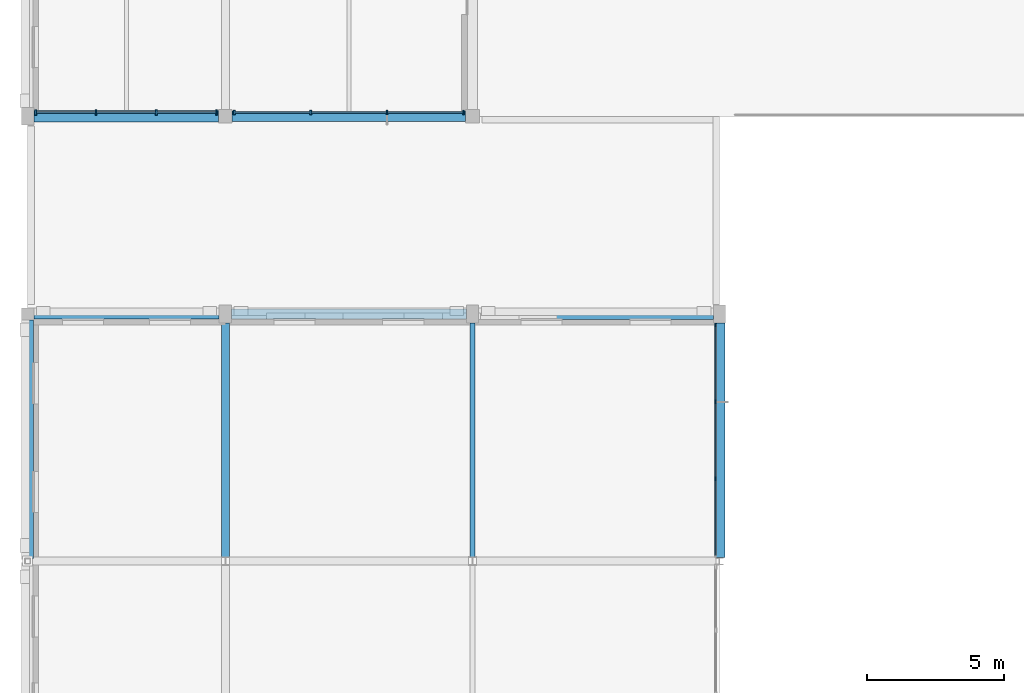
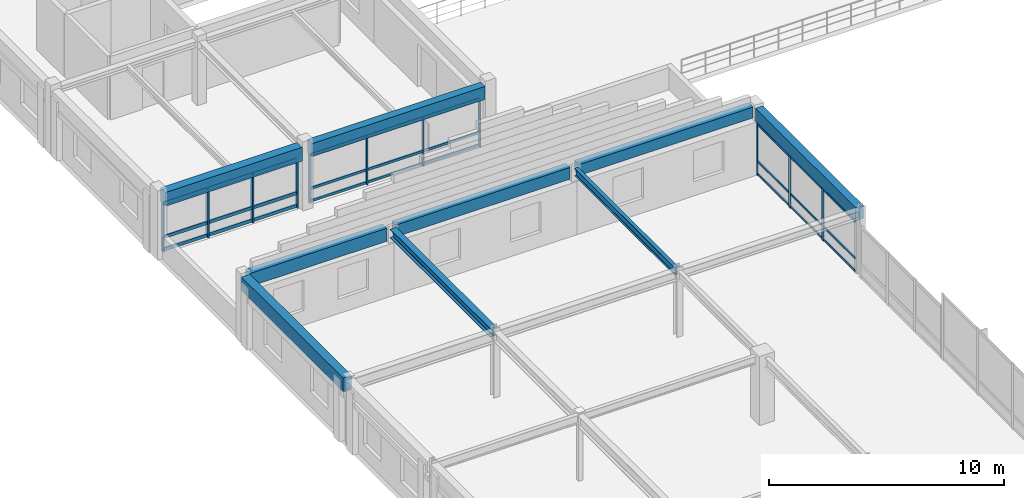
# One storey, part 20 of 74: 38 members, 9 beams, 3 elements without a shape of their own.
"""IFC4 building model written with IfcOpenShell, lengths in metres."""

import ifcopenshell
import ifcopenshell.guid

model = None  # the IFC model being written
_history = None  # IfcOwnerHistory: only IFC2X3 demands one
_inside = {}  # id of a spatial element -> (the spatial element, [elements in it])
_under = {}  # id of a project, library or spatial element -> (it, [spatial elements below it])
_declared = {}  # id of a project -> (the project, [libraries it declares])
_typed = {}  # id of a type object -> (the type object, [elements of that type])
_made_of = {}  # id of a material, layer set ... -> (it, [elements and type objects made of it])


def new_model(schema):
    """Start an empty IFC model of exactly this schema.

    Asked for "IFC4X3", IfcOpenShell would pick the latest addendum, in which some entities
    have other attributes; the version numbers below select the first issue.
    IFC2X3 requires an IfcOwnerHistory on every rooted entity: one is made here for all.
    """
    global model, _history
    if schema == "IFC4X3":
        model = ifcopenshell.file(schema_version=(4, 3, 0, 0))
    else:
        model = ifcopenshell.file(schema=schema)
    _inside.clear()
    _under.clear()
    _declared.clear()
    _typed.clear()
    _made_of.clear()
    _history = None
    if model.schema == "IFC2X3":
        org = make("IfcOrganization", Name="unknown")
        user = make(
            "IfcPersonAndOrganization",
            ThePerson=make("IfcPerson", FamilyName="unknown"),
            TheOrganization=org,
        )
        app = make(
            "IfcApplication",
            ApplicationDeveloper=org,
            Version="unknown",
            ApplicationFullName="unknown",
            ApplicationIdentifier="unknown",
        )
        _history = make(
            "IfcOwnerHistory",
            OwningUser=user,
            OwningApplication=app,
            ChangeAction="ADDED",
            CreationDate=0,
        )
    return model


def make(cls, **values):
    """One entity of the class cls with the attributes given. An attribute that is None is left unset."""
    return model.create_entity(
        cls, **{name: value for name, value in values.items() if value is not None}
    )


def rooted(cls, **values):
    """An entity with a GlobalId (a new one), such as an element, a storey or a relation."""
    return make(cls, GlobalId=ifcopenshell.guid.new(), OwnerHistory=_history, **values)


def si_unit(unit_type, name, prefix=None):
    """IfcSIUnit, for example si_unit("LENGTHUNIT", "METRE", prefix="MILLI")."""
    return make("IfcSIUnit", UnitType=unit_type, Prefix=prefix, Name=name)


def assignment(units):
    """IfcUnitAssignment: the units of a project."""
    return None if units is None else make("IfcUnitAssignment", Units=units)


def point(xyz):
    """IfcCartesianPoint."""
    return None if xyz is None else make("IfcCartesianPoint", Coordinates=xyz)


def direction(xyz):
    """IfcDirection."""
    return None if xyz is None else make("IfcDirection", DirectionRatios=xyz)


def frame(location, z_axis=None, x_axis=None):
    """IfcAxis2Placement3D, a coordinate frame: its origin and axes. An axis left out is left unset."""
    return make(
        "IfcAxis2Placement3D",
        Location=point(location),
        Axis=direction(z_axis),
        RefDirection=direction(x_axis),
    )


def frame_2d(location, x_axis=None):
    """IfcAxis2Placement2D, a coordinate frame in the plane: its origin and x axis."""
    return make(
        "IfcAxis2Placement2D", Location=point(location), RefDirection=direction(x_axis)
    )


def origin():
    """The frame at (0, 0, 0) with its axes left unset."""
    return frame((0.0, 0.0, 0.0))


def origin_2d():
    """The frame at (0, 0) in the plane with its x axis left unset."""
    return frame_2d((0.0, 0.0))


def place(relative_to, where):
    """IfcLocalPlacement: puts the frame where relative to a parent placement (None: the world)."""
    return make(
        "IfcLocalPlacement", PlacementRelTo=relative_to, RelativePlacement=where
    )


def context(
    kind, dimensions, precision=None, world=None, true_north=None, identifier=None
):
    """IfcGeometricRepresentationContext, for example the 3D "Model" context."""
    return make(
        "IfcGeometricRepresentationContext",
        ContextIdentifier=identifier,
        ContextType=kind,
        CoordinateSpaceDimension=dimensions,
        Precision=precision,
        WorldCoordinateSystem=world,
        TrueNorth=true_north,
    )


def subcontext(parent, identifier, kind, view, scale=None):
    """IfcGeometricRepresentationSubContext, for example "Body" below "Model"."""
    return make(
        "IfcGeometricRepresentationSubContext",
        ContextIdentifier=identifier,
        ContextType=kind,
        ParentContext=parent,
        TargetScale=scale,
        TargetView=view,
    )


def project(units=None, contexts=None):
    """IfcProject with its units and contexts."""
    return rooted(
        "IfcProject",
        Name="project",
        RepresentationContexts=contexts,
        UnitsInContext=assignment(units),
    )


def spatial(cls, under=None, at=None, **own):
    """A site, building, storey or space (cls), placed at a placement, below another one or the project."""
    s = rooted(cls, ObjectPlacement=at, **own)
    if under is not None:
        _under.setdefault(under.id(), (under, []))[1].append(s)
    return s


def profile(cls, at=None, kind="AREA", **sizes):
    """A parametric profile (cls). Its sizes go by their IFC names, for example OverallWidth=200.0."""
    return make(cls, ProfileType=kind, Position=at, **sizes)


def rectangle(**sizes):
    """IfcRectangleProfileDef."""
    return profile("IfcRectangleProfileDef", **sizes)


def i_section(**sizes):
    """IfcIShapeProfileDef."""
    return profile("IfcIShapeProfileDef", **sizes)


def extrude(swept, where, along, depth):
    """IfcExtrudedAreaSolid: the profile swept, set in the frame where, extruded along a direction by depth."""
    return make(
        "IfcExtrudedAreaSolid",
        SweptArea=swept,
        Position=where,
        ExtrudedDirection=direction(along),
        Depth=depth,
    )


def shape(context_of_items, identifier, shape_type, items):
    """IfcShapeRepresentation: the items that make up one representation, for example the "Body"."""
    return make(
        "IfcShapeRepresentation",
        ContextOfItems=context_of_items,
        RepresentationIdentifier=identifier,
        RepresentationType=shape_type,
        Items=items,
    )


def material(Name=None, Category=None):
    """IfcMaterial."""
    return make("IfcMaterial", Name=Name, Category=Category)


def material_profile(
    of_material, cross_section, Name=None, Category=None, Priority=None
):
    """IfcMaterialProfile: a cross section and its material."""
    return make(
        "IfcMaterialProfile",
        Name=Name,
        Material=of_material,
        Profile=cross_section,
        Priority=Priority,
        Category=Category,
    )


def profile_set(profiles, Name=None, composite=None):
    """IfcMaterialProfileSet."""
    return make(
        "IfcMaterialProfileSet",
        Name=Name,
        MaterialProfiles=profiles,
        CompositeProfile=composite,
    )


def made_of(thing, what):
    """Note that an element or type object is made of a material, layer set ...; save() writes the relation."""
    if what is not None:
        _made_of.setdefault(what.id(), (what, []))[1].append(thing)
    return thing


def type_object(cls, material=None, **own):
    """A type object (cls), such as IfcWallType, which elements share."""
    return made_of(rooted(cls, **own), material)


def element(
    cls,
    number,
    at=None,
    inside=None,
    cuts=None,
    type_object=None,
    material=None,
    context=None,
    identifier="Body",
    shape_type=None,
    held_by="IfcProductDefinitionShape",
    body=None,
    shapes=None,
    **own,
):
    """One element of the class cls, such as IfcWall. Its Tag is "e" and its number.

    at: its placement. inside: the storey or other place that contains it. cuts: it is an
    opening in that element (IfcRelVoidsElement). A single representation is given by context,
    identifier, shape_type and body (its items); several are given by shapes. held_by: the class
    of the entity that holds the representations. save() writes the other relations.
    """
    e = rooted(cls, Tag="e%d" % number, ObjectPlacement=at, **own)
    if body is not None:
        shapes = [shape(context, identifier, shape_type, body)]
    if shapes is not None:
        e.Representation = make(held_by, Representations=shapes)
    if inside is not None:
        _inside.setdefault(inside.id(), (inside, []))[1].append(e)
    if cuts is not None:
        rooted(
            "IfcRelVoidsElement", RelatingBuildingElement=cuts, RelatedOpeningElement=e
        )
    if type_object is not None:
        _typed.setdefault(type_object.id(), (type_object, []))[1].append(e)
    return made_of(e, material)


def aggregate(whole, parts):
    """IfcRelAggregates: a whole, such as a stair, and the parts it consists of."""
    return rooted("IfcRelAggregates", RelatingObject=whole, RelatedObjects=parts)


def save(model, path):
    """Write the relations noted so far, then the file.

    IfcRelAggregates (storeys below a building ...), IfcRelContainedInSpatialStructure (elements
    in a storey), IfcRelDefinesByType, IfcRelAssociatesMaterial and IfcRelDeclares: one each for
    every whole, place, type object, material and project.
    """
    for whole, parts in _under.values():
        aggregate(whole, parts)
    for where, things in _inside.values():
        rooted(
            "IfcRelContainedInSpatialStructure",
            RelatedElements=things,
            RelatingStructure=where,
        )
    for kind, things in _typed.values():
        rooted("IfcRelDefinesByType", RelatedObjects=things, RelatingType=kind)
    for what, things in _made_of.values():
        rooted("IfcRelAssociatesMaterial", RelatedObjects=things, RelatingMaterial=what)
    for by, libraries in _declared.values():
        rooted("IfcRelDeclares", RelatingContext=by, RelatedDefinitions=libraries)
    model.write(path)


model = new_model("IFC4")

# Units and contexts
model_context = context("Model", 3, precision=1e-05, world=origin(), true_north=direction((0.0, 1.0)))
body_context = subcontext(model_context, "Body", "Model", "MODEL_VIEW")
ifc_project = project(units=[si_unit("LENGTHUNIT", "METRE"), si_unit("AREAUNIT", "SQUARE_METRE"), si_unit("VOLUMEUNIT", "CUBIC_METRE"), si_unit("PLANEANGLEUNIT", "RADIAN"), si_unit("MASSUNIT", "GRAM", prefix="KILO")], contexts=[model_context])

# Site, building, storey
site_placement = place(None, origin())
site = spatial("IfcSite", under=ifc_project, at=site_placement, CompositionType="ELEMENT")
building_placement = place(site_placement, origin())
building = spatial("IfcBuilding", under=site, at=building_placement, Name="Clarverna Civic Hall", CompositionType="ELEMENT")
storey_placement = place(building_placement, frame((0.0, 0.0, 13.199951171875)))
storey = spatial("IfcBuildingStorey", under=building, at=storey_placement, Name="L03", CompositionType="ELEMENT", Elevation=13.199951171875)

# Beams
ifc_material_1 = material(Name="Concrete C35/45", Category="concrete")
ifc_material_profile_1 = material_profile(ifc_material_1, rectangle(XDim=0.419921875, YDim=0.719970703125, at=origin_2d()), Name="RC 420x720")
ifc_profile_set_1 = profile_set([ifc_material_profile_1], Name="Concrete C35/45")
beam_type_1 = type_object("IfcBeamType", Name="B-SP1", PredefinedType="SPANDREL", material=ifc_profile_set_1)
beam_1_placement = place(storey_placement, frame((0.22509765625, 62.60009765625, 2.93994140625), z_axis=(1.0, 0.0, 0.0), x_axis=(0.0, 1.0, 0.0)))
element("IfcBeam", 1, at=beam_1_placement, inside=storey, type_object=beam_type_1, Name="B-SP1-109", PredefinedType="SPANDREL", context=body_context, shape_type="SweptSolid", body=[
    extrude(rectangle(XDim=0.419921875, YDim=0.719970703125, at=origin_2d()), origin(), (0.0, 0.0, 1.0), 6.724853515625),
])
beam_2_placement = place(storey_placement, frame((0.0, 46.5, 3.080078125), z_axis=(0.0, 1.0, 0.0), x_axis=(-1.0, 0.0, 0.0)))
element("IfcBeam", 2, at=beam_2_placement, inside=storey, type_object=beam_type_1, Name="B-SP1-119", PredefinedType="SPANDREL", context=body_context, shape_type="SweptSolid", body=[
    extrude(rectangle(XDim=0.419921875, YDim=0.719970703125, at=origin_2d()), origin(), (0.0, 0.0, 1.0), 8.675048828125),
])
ifc_material_profile_2 = material_profile(ifc_material_1, rectangle(XDim=0.3798828125, YDim=0.679931640625, at=origin_2d()), Name="RC 380x680")
ifc_profile_set_2 = profile_set([ifc_material_profile_2], Name="Concrete C35/45")
beam_type_2 = type_object("IfcBeamType", Name="B-SP2", PredefinedType="SPANDREL", material=ifc_profile_set_2)
beam_3_placement = place(storey_placement, frame((0.22509765625, 55.39990234375, 3.10009765625), z_axis=(1.0, 0.0, 0.0), x_axis=(0.0, 1.0, 0.0)))
element("IfcBeam", 3, at=beam_3_placement, inside=storey, type_object=beam_type_2, Name="B-SP2-112", PredefinedType="SPANDREL", context=body_context, shape_type="SweptSolid", body=[
    extrude(rectangle(XDim=0.3798828125, YDim=0.679931640625, at=origin_2d()), origin(), (0.0, 0.0, 1.0), 6.75),
])
beam_4_placement = place(storey_placement, frame((7.449951171875, 62.60009765625, 2.9599609375), z_axis=(1.0, 0.0, 0.0), x_axis=(0.0, 1.0, 0.0)))
element("IfcBeam", 4, at=beam_4_placement, inside=storey, type_object=beam_type_2, Name="B-SP2-113", PredefinedType="SPANDREL", context=body_context, shape_type="SweptSolid", body=[
    extrude(rectangle(XDim=0.3798828125, YDim=0.679931640625, at=origin_2d()), origin(), (0.0, 0.0, 1.0), 8.5),
])
beam_5_placement = place(storey_placement, frame((25.199951171875, 46.530029296875, 3.10009765625), z_axis=(0.0, 1.0, 0.0), x_axis=(-1.0, 0.0, 0.0)))
element("IfcBeam", 5, at=beam_5_placement, inside=storey, type_object=beam_type_2, Name="B-SP2-127", PredefinedType="SPANDREL", context=body_context, shape_type="SweptSolid", body=[
    extrude(rectangle(XDim=0.3798828125, YDim=0.679931640625, at=origin_2d()), origin(), (0.0, 0.0, 1.0), 8.544921875),
])
ifc_material_profile_3 = material_profile(ifc_material_1, rectangle(XDim=0.360107421875, YDim=0.6201171875, at=origin_2d()), Name="RC 360x620")
ifc_profile_set_3 = profile_set([ifc_material_profile_3], Name="Concrete C35/45")
beam_type_3 = type_object("IfcBeamType", Name="B-SP3", PredefinedType="SPANDREL", material=ifc_profile_set_3)
beam_6_placement = place(storey_placement, frame((7.425048828125, 55.39990234375, 3.130126953125), z_axis=(1.0, 0.0, 0.0), x_axis=(0.0, 1.0, 0.0)))
element("IfcBeam", 6, at=beam_6_placement, inside=storey, type_object=beam_type_3, Name="B-SP3-110", PredefinedType="SPANDREL", context=body_context, shape_type="SweptSolid", body=[
    extrude(rectangle(XDim=0.360107421875, YDim=0.6201171875, at=origin_2d()), origin(), (0.0, 0.0, 1.0), 8.550048828125),
])
ifc_material_profile_4 = material_profile(ifc_material_1, rectangle(XDim=0.39990234375, YDim=0.56005859375, at=origin_2d()), Name="RC 400x560")
ifc_profile_set_4 = profile_set([ifc_material_profile_4], Name="Concrete C35/45")
beam_type_4 = type_object("IfcBeamType", Name="B-SP4", PredefinedType="SPANDREL", material=ifc_profile_set_4)
beam_7_placement = place(storey_placement, frame((16.425048828125, 55.39990234375, 3.16015625), z_axis=(1.0, 0.0, 0.0), x_axis=(0.0, 1.0, 0.0)))
element("IfcBeam", 7, at=beam_7_placement, inside=storey, type_object=beam_type_4, Name="B-SP4-110", PredefinedType="SPANDREL", context=body_context, shape_type="SweptSolid", body=[
    extrude(rectangle(XDim=0.39990234375, YDim=0.56005859375, at=origin_2d()), origin(), (0.0, 0.0, 1.0), 8.550048828125),
])
ifc_material_2 = material(Name="Steel S355", Category="steel")
ifc_material_profile_5 = material_profile(ifc_material_2, i_section(OverallWidth=0.179931640625, OverallDepth=0.39990234375, WebThickness=0.008544921875, FlangeThickness=0.013427734375, FilletRadius=0.02099609375, at=origin_2d()), Name="IPE 400")
ifc_profile_set_5 = profile_set([ifc_material_profile_5], Name="Steel S355")
beam_type_5 = type_object("IfcBeamType", Name="B-ST14", PredefinedType="BEAM", material=ifc_profile_set_5)
beam_8_placement = place(storey_placement, frame((16.199951171875, 46.550048828125, 3.239990234375), z_axis=(0.0, 1.0, 0.0), x_axis=(-1.0, 0.0, 0.0)))
element("IfcBeam", 8, at=beam_8_placement, inside=storey, type_object=beam_type_5, Name="B-ST14-018", PredefinedType="BEAM", context=body_context, shape_type="SweptSolid", body=[
    extrude(i_section(OverallWidth=0.179931640625, OverallDepth=0.39990234375, WebThickness=0.008544921875, FlangeThickness=0.013427734375, FilletRadius=0.02099609375, at=origin_2d()), origin(), (0.0, 0.0, 1.0), 8.52490234375),
])
ifc_material_profile_6 = material_profile(ifc_material_2, i_section(OverallWidth=0.300048828125, OverallDepth=0.449951171875, WebThickness=0.013916015625, FlangeThickness=0.02587890625, FilletRadius=0.027099609375, at=origin_2d()), Name="HEB 450")
ifc_profile_set_6 = profile_set([ifc_material_profile_6], Name="Steel S355")
beam_type_6 = type_object("IfcBeamType", Name="B-ST3", PredefinedType="BEAM", material=ifc_profile_set_6)
beam_9_placement = place(storey_placement, frame((7.199951171875, 46.550048828125, 3.215087890625), z_axis=(0.0, 1.0, 0.0), x_axis=(-1.0, 0.0, 0.0)))
element("IfcBeam", 9, at=beam_9_placement, inside=storey, type_object=beam_type_6, Name="B-ST3-015", PredefinedType="BEAM", context=body_context, shape_type="SweptSolid", body=[
    extrude(i_section(OverallWidth=0.300048828125, OverallDepth=0.449951171875, WebThickness=0.013916015625, FlangeThickness=0.02587890625, FilletRadius=0.027099609375, at=origin_2d()), origin(), (0.0, 0.0, 1.0), 8.52490234375),
])

# Curtain wall, members
ifc_material_3 = material(Name="Anodised Bronze Architectural Aluminium", Category="aluminium")
curtain_wall_type = type_object("IfcCurtainWallType", Name="CW-05", PredefinedType="USERDEFINED", material=ifc_material_3)
curtain_wall_1_placement = place(storey_placement, origin())
curtain_wall_1 = element("IfcCurtainWall", 10, at=curtain_wall_1_placement, inside=storey, type_object=curtain_wall_type, Name="CW-05-014", ObjectType="UNITISED CURTAIN WALL", PredefinedType="USERDEFINED")
ifc_material_profile_7 = material_profile(ifc_material_3, rectangle(XDim=0.06005859375, YDim=0.159912109375, at=origin_2d()), Name="BRONZE 60x160")
ifc_profile_set_7 = profile_set([ifc_material_profile_7], Name="Anodised Bronze Architectural Aluminium")
member_type_1 = type_object("IfcMemberType", Name="CWM-02", PredefinedType="MULLION", material=ifc_profile_set_7)
member_1_placement = place(storey_placement, frame((15.876953125, 62.739990234375, 0.0), z_axis=(0.0, 0.0, 1.0), x_axis=(1.0, 0.0, 0.0)))
member_1 = element("IfcMember", 11, at=member_1_placement, type_object=member_type_1, Name="CWM-02-180", PredefinedType="MULLION", context=body_context, shape_type="SweptSolid", body=[
    extrude(rectangle(XDim=0.06005859375, YDim=0.159912109375, at=origin_2d()), origin(), (0.0, 0.0, 1.0), 2.580078125),
])
member_2_placement = place(storey_placement, frame((13.09228515625, 62.739990234375, 0.0), z_axis=(0.0, 0.0, 1.0), x_axis=(1.0, 0.0, 0.0)))
member_2 = element("IfcMember", 12, at=member_2_placement, type_object=member_type_1, Name="CWM-02-181", PredefinedType="MULLION", context=body_context, shape_type="SweptSolid", body=[
    extrude(rectangle(XDim=0.06005859375, YDim=0.159912109375, at=origin_2d()), origin(), (0.0, 0.0, 1.0), 2.580078125),
])
member_3_placement = place(storey_placement, frame((10.3076171875, 62.739990234375, 0.0), z_axis=(0.0, 0.0, 1.0), x_axis=(1.0, 0.0, 0.0)))
member_3 = element("IfcMember", 13, at=member_3_placement, type_object=member_type_1, Name="CWM-02-182", PredefinedType="MULLION", context=body_context, shape_type="SweptSolid", body=[
    extrude(rectangle(XDim=0.06005859375, YDim=0.159912109375, at=origin_2d()), origin(), (0.0, 0.0, 1.0), 2.580078125),
])
member_4_placement = place(storey_placement, frame((7.52294921875, 62.739990234375, 0.0), z_axis=(0.0, 0.0, 1.0), x_axis=(1.0, 0.0, 0.0)))
member_4 = element("IfcMember", 14, at=member_4_placement, type_object=member_type_1, Name="CWM-02-183", PredefinedType="MULLION", context=body_context, shape_type="SweptSolid", body=[
    extrude(rectangle(XDim=0.06005859375, YDim=0.159912109375, at=origin_2d()), origin(), (0.0, 0.0, 1.0), 2.580078125),
])

curtain_wall_2_placement = place(storey_placement, origin())
curtain_wall_2 = element("IfcCurtainWall", 15, at=curtain_wall_2_placement, inside=storey, type_object=curtain_wall_type, Name="CW-05-015", ObjectType="UNITISED CURTAIN WALL", PredefinedType="USERDEFINED")
ifc_material_profile_8 = material_profile(ifc_material_3, rectangle(XDim=0.06494140625, YDim=0.199951171875, at=origin_2d()), Name="BRONZE 65x200")
ifc_profile_set_8 = profile_set([ifc_material_profile_8], Name="Anodised Bronze Architectural Aluminium")
member_type_2 = type_object("IfcMemberType", Name="CWM-03", PredefinedType="MULLION", material=ifc_profile_set_8)
member_5_placement = place(storey_placement, frame((6.876953125, 62.739990234375, 0.0), z_axis=(0.0, 0.0, 1.0), x_axis=(1.0, 0.0, 0.0)))
member_5 = element("IfcMember", 16, at=member_5_placement, type_object=member_type_2, Name="CWM-03-143", PredefinedType="MULLION", context=body_context, shape_type="SweptSolid", body=[
    extrude(rectangle(XDim=0.06494140625, YDim=0.199951171875, at=origin_2d()), origin(), (0.0, 0.0, 1.0), 2.580078125),
])
member_6_placement = place(storey_placement, frame((4.68408203125, 62.739990234375, 0.0), z_axis=(0.0, 0.0, 1.0), x_axis=(1.0, 0.0, 0.0)))
member_6 = element("IfcMember", 17, at=member_6_placement, type_object=member_type_2, Name="CWM-03-144", PredefinedType="MULLION", context=body_context, shape_type="SweptSolid", body=[
    extrude(rectangle(XDim=0.06494140625, YDim=0.199951171875, at=origin_2d()), origin(), (0.0, 0.0, 1.0), 2.580078125),
])
member_7_placement = place(storey_placement, frame((2.490966796875, 62.739990234375, 0.0), z_axis=(0.0, 0.0, 1.0), x_axis=(1.0, 0.0, 0.0)))
member_7 = element("IfcMember", 18, at=member_7_placement, type_object=member_type_2, Name="CWM-03-145", PredefinedType="MULLION", context=body_context, shape_type="SweptSolid", body=[
    extrude(rectangle(XDim=0.06494140625, YDim=0.199951171875, at=origin_2d()), origin(), (0.0, 0.0, 1.0), 2.580078125),
])
member_8_placement = place(storey_placement, frame((0.298095703125, 62.739990234375, 0.0), z_axis=(0.0, 0.0, 1.0), x_axis=(1.0, 0.0, 0.0)))
member_8 = element("IfcMember", 19, at=member_8_placement, type_object=member_type_2, Name="CWM-03-146", PredefinedType="MULLION", context=body_context, shape_type="SweptSolid", body=[
    extrude(rectangle(XDim=0.06494140625, YDim=0.199951171875, at=origin_2d()), origin(), (0.0, 0.0, 1.0), 2.580078125),
])

curtain_wall_3_placement = place(storey_placement, origin())
curtain_wall_3 = element("IfcCurtainWall", 20, at=curtain_wall_3_placement, inside=storey, type_object=curtain_wall_type, Name="CW-05-016", ObjectType="UNITISED CURTAIN WALL", PredefinedType="USERDEFINED")
ifc_material_profile_9 = material_profile(ifc_material_3, rectangle(XDim=0.054931640625, YDim=0.139892578125, at=origin_2d()), Name="BRONZE 55x140")
ifc_profile_set_9 = profile_set([ifc_material_profile_9], Name="Anodised Bronze Architectural Aluminium")
member_type_3 = type_object("IfcMemberType", Name="CWM-04", PredefinedType="MULLION", material=ifc_profile_set_9)
member_9_placement = place(storey_placement, frame((25.06005859375, 55.001953125, 0.0), z_axis=(0.0, 0.0, 1.0), x_axis=(1.0, 0.0, 0.0)))
member_9 = element("IfcMember", 21, at=member_9_placement, type_object=member_type_3, Name="CWM-04-184", PredefinedType="MULLION", context=body_context, shape_type="SweptSolid", body=[
    extrude(rectangle(XDim=0.054931640625, YDim=0.139892578125, at=origin_2d()), origin(), (0.0, 0.0, 1.0), 2.760009765625),
])
member_10_placement = place(storey_placement, frame((25.06005859375, 52.202392578125, 0.0), z_axis=(0.0, 0.0, 1.0), x_axis=(1.0, 0.0, 0.0)))
member_10 = element("IfcMember", 22, at=member_10_placement, type_object=member_type_3, Name="CWM-04-185", PredefinedType="MULLION", context=body_context, shape_type="SweptSolid", body=[
    extrude(rectangle(XDim=0.054931640625, YDim=0.139892578125, at=origin_2d()), origin(), (0.0, 0.0, 1.0), 2.760009765625),
])
member_11_placement = place(storey_placement, frame((25.06005859375, 49.402587890625, 0.0), z_axis=(0.0, 0.0, 1.0), x_axis=(1.0, 0.0, 0.0)))
member_11 = element("IfcMember", 23, at=member_11_placement, type_object=member_type_3, Name="CWM-04-186", PredefinedType="MULLION", context=body_context, shape_type="SweptSolid", body=[
    extrude(rectangle(XDim=0.054931640625, YDim=0.139892578125, at=origin_2d()), origin(), (0.0, 0.0, 1.0), 2.760009765625),
])

# Member
ifc_material_profile_10 = material_profile(ifc_material_3, rectangle(XDim=0.06005859375, YDim=0.1298828125, at=origin_2d()), Name="BRONZE 60x130")
ifc_profile_set_10 = profile_set([ifc_material_profile_10], Name="Anodised Bronze Architectural Aluminium")
member_type_4 = type_object("IfcMemberType", Name="CWT-02", PredefinedType="USERDEFINED", material=ifc_profile_set_10)
member_12_placement = place(storey_placement, frame((15.862060546875, 62.739990234375, 0.094970703125), z_axis=(-1.0, 0.0, 0.0), x_axis=(0.0, -1.0, 0.0)))
member_12 = element("IfcMember", 24, at=member_12_placement, type_object=member_type_4, Name="CWT-02-379", ObjectType="TRANSOM", PredefinedType="USERDEFINED", context=body_context, shape_type="SweptSolid", body=[
    extrude(rectangle(XDim=0.06005859375, YDim=0.1298828125, at=origin_2d()), origin(), (0.0, 0.0, 1.0), 2.754638671875),
])

member_13_placement = place(storey_placement, frame((15.862060546875, 62.739990234375, 0.75), z_axis=(-1.0, 0.0, 0.0), x_axis=(0.0, -1.0, 0.0)))
member_13 = element("IfcMember", 25, at=member_13_placement, type_object=member_type_4, Name="CWT-02-380", ObjectType="TRANSOM", PredefinedType="USERDEFINED", context=body_context, shape_type="SweptSolid", body=[
    extrude(rectangle(XDim=0.06005859375, YDim=0.1298828125, at=origin_2d()), origin(), (0.0, 0.0, 1.0), 2.754638671875),
])

member_14_placement = place(storey_placement, frame((15.862060546875, 62.739990234375, 2.485107421875), z_axis=(-1.0, 0.0, 0.0), x_axis=(0.0, -1.0, 0.0)))
member_14 = element("IfcMember", 26, at=member_14_placement, type_object=member_type_4, Name="CWT-02-381", ObjectType="TRANSOM", PredefinedType="USERDEFINED", context=body_context, shape_type="SweptSolid", body=[
    extrude(rectangle(XDim=0.06005859375, YDim=0.1298828125, at=origin_2d()), origin(), (0.0, 0.0, 1.0), 2.754638671875),
])

member_15_placement = place(storey_placement, frame((13.077392578125, 62.739990234375, 0.094970703125), z_axis=(-1.0, 0.0, 0.0), x_axis=(0.0, -1.0, 0.0)))
member_15 = element("IfcMember", 27, at=member_15_placement, type_object=member_type_4, Name="CWT-02-382", ObjectType="TRANSOM", PredefinedType="USERDEFINED", context=body_context, shape_type="SweptSolid", body=[
    extrude(rectangle(XDim=0.06005859375, YDim=0.1298828125, at=origin_2d()), origin(), (0.0, 0.0, 1.0), 2.754638671875),
])

member_16_placement = place(storey_placement, frame((13.077392578125, 62.739990234375, 0.75), z_axis=(-1.0, 0.0, 0.0), x_axis=(0.0, -1.0, 0.0)))
member_16 = element("IfcMember", 28, at=member_16_placement, type_object=member_type_4, Name="CWT-02-383", ObjectType="TRANSOM", PredefinedType="USERDEFINED", context=body_context, shape_type="SweptSolid", body=[
    extrude(rectangle(XDim=0.06005859375, YDim=0.1298828125, at=origin_2d()), origin(), (0.0, 0.0, 1.0), 2.754638671875),
])

member_17_placement = place(storey_placement, frame((13.077392578125, 62.739990234375, 2.485107421875), z_axis=(-1.0, 0.0, 0.0), x_axis=(0.0, -1.0, 0.0)))
member_17 = element("IfcMember", 29, at=member_17_placement, type_object=member_type_4, Name="CWT-02-384", ObjectType="TRANSOM", PredefinedType="USERDEFINED", context=body_context, shape_type="SweptSolid", body=[
    extrude(rectangle(XDim=0.06005859375, YDim=0.1298828125, at=origin_2d()), origin(), (0.0, 0.0, 1.0), 2.754638671875),
])

member_18_placement = place(storey_placement, frame((10.292724609375, 62.739990234375, 0.094970703125), z_axis=(-1.0, 0.0, 0.0), x_axis=(0.0, -1.0, 0.0)))
member_18 = element("IfcMember", 30, at=member_18_placement, type_object=member_type_4, Name="CWT-02-385", ObjectType="TRANSOM", PredefinedType="USERDEFINED", context=body_context, shape_type="SweptSolid", body=[
    extrude(rectangle(XDim=0.06005859375, YDim=0.1298828125, at=origin_2d()), origin(), (0.0, 0.0, 1.0), 2.754638671875),
])

member_19_placement = place(storey_placement, frame((10.292724609375, 62.739990234375, 0.75), z_axis=(-1.0, 0.0, 0.0), x_axis=(0.0, -1.0, 0.0)))
member_19 = element("IfcMember", 31, at=member_19_placement, type_object=member_type_4, Name="CWT-02-386", ObjectType="TRANSOM", PredefinedType="USERDEFINED", context=body_context, shape_type="SweptSolid", body=[
    extrude(rectangle(XDim=0.06005859375, YDim=0.1298828125, at=origin_2d()), origin(), (0.0, 0.0, 1.0), 2.754638671875),
])

member_20_placement = place(storey_placement, frame((10.292724609375, 62.739990234375, 2.485107421875), z_axis=(-1.0, 0.0, 0.0), x_axis=(0.0, -1.0, 0.0)))
member_20 = element("IfcMember", 32, at=member_20_placement, type_object=member_type_4, Name="CWT-02-387", ObjectType="TRANSOM", PredefinedType="USERDEFINED", context=body_context, shape_type="SweptSolid", body=[
    extrude(rectangle(XDim=0.06005859375, YDim=0.1298828125, at=origin_2d()), origin(), (0.0, 0.0, 1.0), 2.754638671875),
])

aggregate(curtain_wall_1, [member_1, member_2, member_3, member_4, member_12, member_13, member_14, member_15, member_16, member_17, member_18, member_19, member_20])

ifc_material_profile_11 = material_profile(ifc_material_3, rectangle(XDim=0.06494140625, YDim=0.169921875, at=origin_2d()), Name="BRONZE 65x170")
ifc_profile_set_11 = profile_set([ifc_material_profile_11], Name="Anodised Bronze Architectural Aluminium")
member_type_5 = type_object("IfcMemberType", Name="CWT-03", PredefinedType="USERDEFINED", material=ifc_profile_set_11)
member_21_placement = place(storey_placement, frame((6.862060546875, 62.739990234375, 0.094970703125), z_axis=(-1.0, 0.0, 0.0), x_axis=(0.0, -1.0, 0.0)))
member_21 = element("IfcMember", 33, at=member_21_placement, type_object=member_type_5, Name="CWT-03-304", ObjectType="TRANSOM", PredefinedType="USERDEFINED", context=body_context, shape_type="SweptSolid", body=[
    extrude(rectangle(XDim=0.06494140625, YDim=0.169921875, at=origin_2d()), origin(), (0.0, 0.0, 1.0), 2.1630859375),
])

member_22_placement = place(storey_placement, frame((6.862060546875, 62.739990234375, 0.75), z_axis=(-1.0, 0.0, 0.0), x_axis=(0.0, -1.0, 0.0)))
member_22 = element("IfcMember", 34, at=member_22_placement, type_object=member_type_5, Name="CWT-03-305", ObjectType="TRANSOM", PredefinedType="USERDEFINED", context=body_context, shape_type="SweptSolid", body=[
    extrude(rectangle(XDim=0.06494140625, YDim=0.169921875, at=origin_2d()), origin(), (0.0, 0.0, 1.0), 2.1630859375),
])

member_23_placement = place(storey_placement, frame((6.862060546875, 62.739990234375, 2.485107421875), z_axis=(-1.0, 0.0, 0.0), x_axis=(0.0, -1.0, 0.0)))
member_23 = element("IfcMember", 35, at=member_23_placement, type_object=member_type_5, Name="CWT-03-306", ObjectType="TRANSOM", PredefinedType="USERDEFINED", context=body_context, shape_type="SweptSolid", body=[
    extrude(rectangle(XDim=0.06494140625, YDim=0.169921875, at=origin_2d()), origin(), (0.0, 0.0, 1.0), 2.1630859375),
])

member_24_placement = place(storey_placement, frame((4.6689453125, 62.739990234375, 0.094970703125), z_axis=(-1.0, 0.0, 0.0), x_axis=(0.0, -1.0, 0.0)))
member_24 = element("IfcMember", 36, at=member_24_placement, type_object=member_type_5, Name="CWT-03-307", ObjectType="TRANSOM", PredefinedType="USERDEFINED", context=body_context, shape_type="SweptSolid", body=[
    extrude(rectangle(XDim=0.06494140625, YDim=0.169921875, at=origin_2d()), origin(), (0.0, 0.0, 1.0), 2.162841796875),
])

member_25_placement = place(storey_placement, frame((4.6689453125, 62.739990234375, 0.75), z_axis=(-1.0, 0.0, 0.0), x_axis=(0.0, -1.0, 0.0)))
member_25 = element("IfcMember", 37, at=member_25_placement, type_object=member_type_5, Name="CWT-03-308", ObjectType="TRANSOM", PredefinedType="USERDEFINED", context=body_context, shape_type="SweptSolid", body=[
    extrude(rectangle(XDim=0.06494140625, YDim=0.169921875, at=origin_2d()), origin(), (0.0, 0.0, 1.0), 2.162841796875),
])

member_26_placement = place(storey_placement, frame((4.6689453125, 62.739990234375, 2.485107421875), z_axis=(-1.0, 0.0, 0.0), x_axis=(0.0, -1.0, 0.0)))
member_26 = element("IfcMember", 38, at=member_26_placement, type_object=member_type_5, Name="CWT-03-309", ObjectType="TRANSOM", PredefinedType="USERDEFINED", context=body_context, shape_type="SweptSolid", body=[
    extrude(rectangle(XDim=0.06494140625, YDim=0.169921875, at=origin_2d()), origin(), (0.0, 0.0, 1.0), 2.162841796875),
])

member_27_placement = place(storey_placement, frame((2.47607421875, 62.739990234375, 0.094970703125), z_axis=(-1.0, 0.0, 0.0), x_axis=(0.0, -1.0, 0.0)))
member_27 = element("IfcMember", 39, at=member_27_placement, type_object=member_type_5, Name="CWT-03-310", ObjectType="TRANSOM", PredefinedType="USERDEFINED", context=body_context, shape_type="SweptSolid", body=[
    extrude(rectangle(XDim=0.06494140625, YDim=0.169921875, at=origin_2d()), origin(), (0.0, 0.0, 1.0), 2.1630859375),
])

member_28_placement = place(storey_placement, frame((2.47607421875, 62.739990234375, 0.75), z_axis=(-1.0, 0.0, 0.0), x_axis=(0.0, -1.0, 0.0)))
member_28 = element("IfcMember", 40, at=member_28_placement, type_object=member_type_5, Name="CWT-03-311", ObjectType="TRANSOM", PredefinedType="USERDEFINED", context=body_context, shape_type="SweptSolid", body=[
    extrude(rectangle(XDim=0.06494140625, YDim=0.169921875, at=origin_2d()), origin(), (0.0, 0.0, 1.0), 2.1630859375),
])

member_29_placement = place(storey_placement, frame((2.47607421875, 62.739990234375, 2.485107421875), z_axis=(-1.0, 0.0, 0.0), x_axis=(0.0, -1.0, 0.0)))
member_29 = element("IfcMember", 41, at=member_29_placement, type_object=member_type_5, Name="CWT-03-312", ObjectType="TRANSOM", PredefinedType="USERDEFINED", context=body_context, shape_type="SweptSolid", body=[
    extrude(rectangle(XDim=0.06494140625, YDim=0.169921875, at=origin_2d()), origin(), (0.0, 0.0, 1.0), 2.1630859375),
])

aggregate(curtain_wall_2, [member_5, member_6, member_7, member_8, member_21, member_22, member_23, member_24, member_25, member_26, member_27, member_28, member_29])

ifc_material_profile_12 = material_profile(ifc_material_3, rectangle(XDim=0.054931640625, YDim=0.110107421875, at=origin_2d()), Name="BRONZE 55x110")
ifc_profile_set_12 = profile_set([ifc_material_profile_12], Name="Anodised Bronze Architectural Aluminium")
member_type_6 = type_object("IfcMemberType", Name="CWT-04", PredefinedType="USERDEFINED", material=ifc_profile_set_12)
member_30_placement = place(storey_placement, frame((25.06005859375, 54.987060546875, 0.094970703125), z_axis=(0.0, -1.0, 0.0), x_axis=(1.0, 0.0, 0.0)))
member_30 = element("IfcMember", 42, at=member_30_placement, type_object=member_type_6, Name="CWT-04-388", ObjectType="TRANSOM", PredefinedType="USERDEFINED", context=body_context, shape_type="SweptSolid", body=[
    extrude(rectangle(XDim=0.054931640625, YDim=0.110107421875, at=origin_2d()), origin(), (0.0, 0.0, 1.0), 2.769775390625),
])

member_31_placement = place(storey_placement, frame((25.06005859375, 54.987060546875, 0.75), z_axis=(0.0, -1.0, 0.0), x_axis=(1.0, 0.0, 0.0)))
member_31 = element("IfcMember", 43, at=member_31_placement, type_object=member_type_6, Name="CWT-04-389", ObjectType="TRANSOM", PredefinedType="USERDEFINED", context=body_context, shape_type="SweptSolid", body=[
    extrude(rectangle(XDim=0.054931640625, YDim=0.110107421875, at=origin_2d()), origin(), (0.0, 0.0, 1.0), 2.769775390625),
])

member_32_placement = place(storey_placement, frame((25.06005859375, 54.987060546875, 2.6650390625), z_axis=(0.0, -1.0, 0.0), x_axis=(1.0, 0.0, 0.0)))
member_32 = element("IfcMember", 44, at=member_32_placement, type_object=member_type_6, Name="CWT-04-390", ObjectType="TRANSOM", PredefinedType="USERDEFINED", context=body_context, shape_type="SweptSolid", body=[
    extrude(rectangle(XDim=0.054931640625, YDim=0.110107421875, at=origin_2d()), origin(), (0.0, 0.0, 1.0), 2.769775390625),
])

member_33_placement = place(storey_placement, frame((25.06005859375, 52.187255859375, 0.094970703125), z_axis=(0.0, -1.0, 0.0), x_axis=(1.0, 0.0, 0.0)))
member_33 = element("IfcMember", 45, at=member_33_placement, type_object=member_type_6, Name="CWT-04-391", ObjectType="TRANSOM", PredefinedType="USERDEFINED", context=body_context, shape_type="SweptSolid", body=[
    extrude(rectangle(XDim=0.054931640625, YDim=0.110107421875, at=origin_2d()), origin(), (0.0, 0.0, 1.0), 2.76953125),
])

member_34_placement = place(storey_placement, frame((25.06005859375, 52.187255859375, 0.75), z_axis=(0.0, -1.0, 0.0), x_axis=(1.0, 0.0, 0.0)))
member_34 = element("IfcMember", 46, at=member_34_placement, type_object=member_type_6, Name="CWT-04-392", ObjectType="TRANSOM", PredefinedType="USERDEFINED", context=body_context, shape_type="SweptSolid", body=[
    extrude(rectangle(XDim=0.054931640625, YDim=0.110107421875, at=origin_2d()), origin(), (0.0, 0.0, 1.0), 2.76953125),
])

member_35_placement = place(storey_placement, frame((25.06005859375, 52.187255859375, 2.6650390625), z_axis=(0.0, -1.0, 0.0), x_axis=(1.0, 0.0, 0.0)))
member_35 = element("IfcMember", 47, at=member_35_placement, type_object=member_type_6, Name="CWT-04-393", ObjectType="TRANSOM", PredefinedType="USERDEFINED", context=body_context, shape_type="SweptSolid", body=[
    extrude(rectangle(XDim=0.054931640625, YDim=0.110107421875, at=origin_2d()), origin(), (0.0, 0.0, 1.0), 2.76953125),
])

member_36_placement = place(storey_placement, frame((25.06005859375, 49.3876953125, 0.094970703125), z_axis=(0.0, -1.0, 0.0), x_axis=(1.0, 0.0, 0.0)))
member_36 = element("IfcMember", 48, at=member_36_placement, type_object=member_type_6, Name="CWT-04-394", ObjectType="TRANSOM", PredefinedType="USERDEFINED", context=body_context, shape_type="SweptSolid", body=[
    extrude(rectangle(XDim=0.054931640625, YDim=0.110107421875, at=origin_2d()), origin(), (0.0, 0.0, 1.0), 2.769775390625),
])

member_37_placement = place(storey_placement, frame((25.06005859375, 49.3876953125, 0.75), z_axis=(0.0, -1.0, 0.0), x_axis=(1.0, 0.0, 0.0)))
member_37 = element("IfcMember", 49, at=member_37_placement, type_object=member_type_6, Name="CWT-04-395", ObjectType="TRANSOM", PredefinedType="USERDEFINED", context=body_context, shape_type="SweptSolid", body=[
    extrude(rectangle(XDim=0.054931640625, YDim=0.110107421875, at=origin_2d()), origin(), (0.0, 0.0, 1.0), 2.769775390625),
])

member_38_placement = place(storey_placement, frame((25.06005859375, 49.3876953125, 2.6650390625), z_axis=(0.0, -1.0, 0.0), x_axis=(1.0, 0.0, 0.0)))
member_38 = element("IfcMember", 50, at=member_38_placement, type_object=member_type_6, Name="CWT-04-396", ObjectType="TRANSOM", PredefinedType="USERDEFINED", context=body_context, shape_type="SweptSolid", body=[
    extrude(rectangle(XDim=0.054931640625, YDim=0.110107421875, at=origin_2d()), origin(), (0.0, 0.0, 1.0), 2.769775390625),
])

aggregate(curtain_wall_3, [member_9, member_10, member_11, member_30, member_31, member_32, member_33, member_34, member_35, member_36, member_37, member_38])

save(model, "model.ifc")
